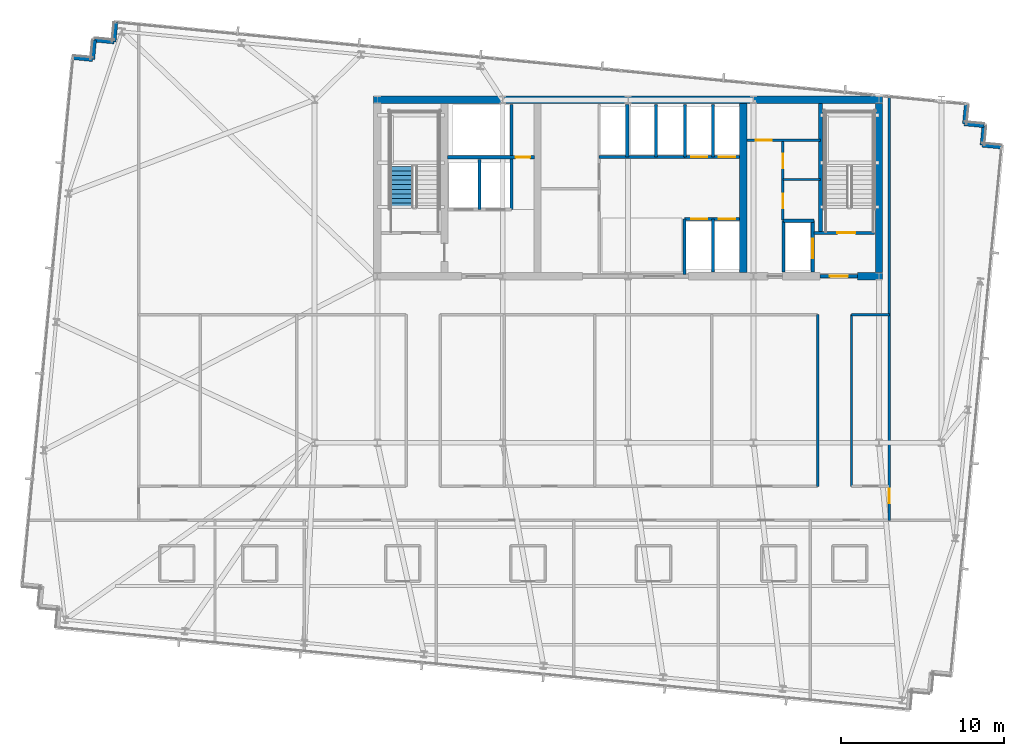
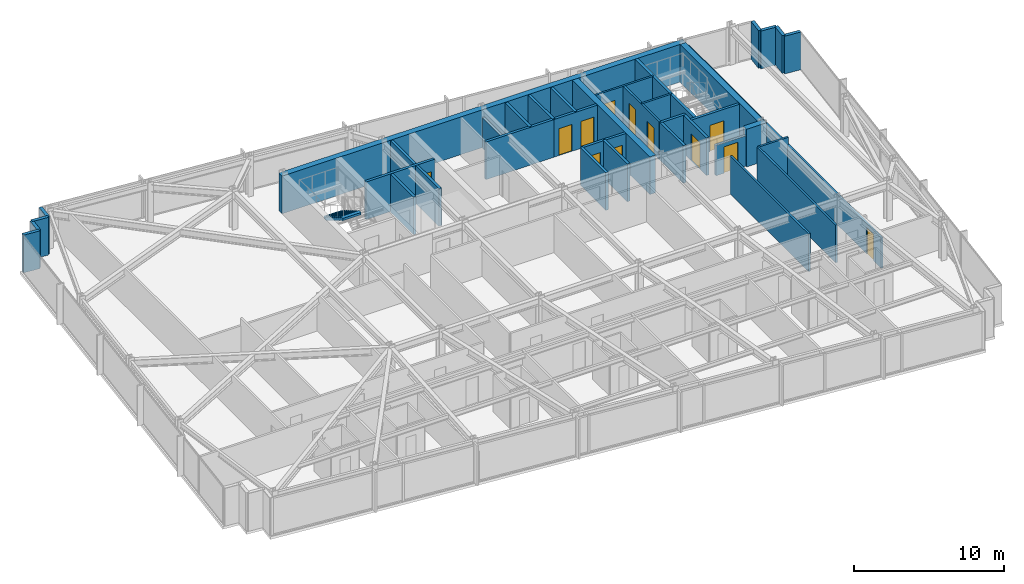
# One storey, part 31 of 38: 37 walls, 12 doors, 1 stair flight, 12 openings, 1 element without a shape of its own.
"""IFC4 building model written with IfcOpenShell, lengths in metres."""

from ifc_helpers import new_model, si_unit, direction, frame, frame_2d, origin, place, context, subcontext, project, spatial, polyline, rectangle, outline, extrude, material, layer, layer_set, type_object, element, fill, aggregate, save


model = new_model("IFC4")

# Units and contexts
model_context = context("Model", 3, precision=1e-05, world=origin(), true_north=direction((0.0, 1.0)))
body_context = subcontext(model_context, "Body", "Model", "MODEL_VIEW")
ifc_project = project(units=[si_unit("LENGTHUNIT", "METRE"), si_unit("AREAUNIT", "SQUARE_METRE"), si_unit("VOLUMEUNIT", "CUBIC_METRE"), si_unit("PLANEANGLEUNIT", "RADIAN"), si_unit("MASSUNIT", "GRAM", prefix="KILO")], contexts=[model_context])

# Site, building, storey
site_placement = place(None, origin())
site = spatial("IfcSite", under=ifc_project, at=site_placement, CompositionType="ELEMENT")
building_placement = place(site_placement, origin())
building = spatial("IfcBuilding", under=site, at=building_placement, Name="Yelkora Congress Tower", CompositionType="ELEMENT")
storey_placement = place(building_placement, frame((0.0, 0.0, 185.300048828125)))
storey = spatial("IfcBuildingStorey", under=building, at=storey_placement, Name="L51", CompositionType="ELEMENT", Elevation=185.300048828125)

# Walls
ifc_material_1 = material(Name="Concrete C50/60", Category="concrete")
ifc_layer_1 = layer(ifc_material_1, 0.219970703125)
ifc_layer_set_1 = layer_set([ifc_layer_1], Name="Concrete C50/60")
wall_type_1 = type_object("IfcWallType", Name="WALL-CORE-INT-220", PredefinedType="SHEAR", material=ifc_layer_set_1)
wall_1_placement = place(storey_placement, frame((50.179931640625, 38.050048828125, 0.0), z_axis=(0.0, 0.0, 1.0), x_axis=(0.0, 1.0, 0.0)))
element("IfcWall", 1, at=wall_1_placement, inside=storey, type_object=wall_type_1, Name="L51 ST02 West Stair Shear Wall", PredefinedType="SHEAR", context=body_context, shape_type="SweptSolid", body=[
    extrude(rectangle(XDim=7.925048828125, YDim=0.219970703125, at=frame_2d((3.96240234375, 0.0))), origin(), (0.0, 0.0, 1.0), 3.079833984375),
])
ifc_material_2 = material(Name="Concrete C60/75", Category="concrete")
ifc_layer_2 = layer(ifc_material_2, 0.449951171875)
ifc_layer_set_2 = layer_set([ifc_layer_2], Name="Concrete C60/75")
wall_type_2 = type_object("IfcWallType", Name="WALL-CORE-INT-450", PredefinedType="SHEAR", material=ifc_layer_set_2)
wall_2_placement = place(storey_placement, frame((22.81494140625, 46.199951171875, 0.0), z_axis=(0.0, 0.0, 1.0), x_axis=(1.0, 0.0, 0.0)))
element("IfcWall", 2, at=wall_2_placement, inside=storey, type_object=wall_type_2, Name="L51 Rear Core North Shear Wall", PredefinedType="SHEAR", context=body_context, shape_type="SweptSolid", body=[
    extrude(rectangle(XDim=31.170166015625, YDim=0.449951171875, at=frame_2d((15.5849609375, 0.0))), origin(), (0.0, 0.0, 1.0), 3.079833984375),
])
wall_3_placement = place(storey_placement, frame((52.449951171875, 35.39990234375, 0.0), z_axis=(0.0, 0.0, 1.0), x_axis=(1.0, 0.0, 0.0)))
element("IfcWall", 3, at=wall_3_placement, inside=storey, type_object=wall_type_2, Name="L51 Rear Core South-East Shear Wall B", PredefinedType="SHEAR", context=body_context, shape_type="SweptSolid", body=[
    extrude(rectangle(XDim=1.53515625, YDim=0.449951171875, at=frame_2d((0.767578125, 0.0))), origin(), (0.0, 0.0, 1.0), 3.079833984375),
])
for number, where, z_axis, x_axis, name in (
    (4, (45.449951171875, 35.625, 0.0), (0.0, 0.0, 1.0), (0.0, 1.0, 0.0), "L51 Rear Core Cross Shear Wall C3"),
    (5, (53.760009765625, 35.625, 0.0), (0.0, 0.0, 1.0), (0.0, 1.0, 0.0), "L51 Rear Core Cross Shear Wall E"),
):
    element("IfcWall", number, at=place(storey_placement, frame(where, z_axis=z_axis, x_axis=x_axis)), inside=storey, type_object=wall_type_2, Name=name, PredefinedType="SHEAR", context=body_context, shape_type="SweptSolid", body=[
        extrude(rectangle(XDim=10.35009765625, YDim=0.449951171875, at=frame_2d((5.175048828125, 0.0))), origin(), (0.0, 0.0, 1.0), 3.079833984375),
    ])
ifc_material_3 = material(Name="Concrete C40/50", Category="concrete")
ifc_layer_3 = layer(ifc_material_3, 0.239990234375)
ifc_layer_set_3 = layer_set([ifc_layer_3], Name="Concrete C40/50")
wall_type_3 = type_object("IfcWallType", Name="WALL-EXT-LIMESTONE-240", PredefinedType="SOLIDWALL", material=ifc_layer_set_3)
wall_4_placement = place(storey_placement, frame((4.41064453125, 48.778564453125, 0.0), z_axis=(0.0, 0.0, 1.0), x_axis=(0.995397091755, -0.095836473879, 0.0)))
element("IfcWall", 6, at=wall_4_placement, inside=storey, type_object=wall_type_3, Name="L51 Serrated Corner Limestone Pier 6", PredefinedType="SOLIDWALL", context=body_context, shape_type="SweptSolid", body=[
    extrude(rectangle(XDim=1.199951171875, YDim=0.239990234375, at=frame_2d((0.60009765625, 0.0))), origin(), (0.0, 0.0, 1.0), 3.079833984375),
])
wall_5_placement = place(storey_placement, frame((5.60498046875, 48.66357421875, 0.0), z_axis=(0.0, 0.0, 1.0), x_axis=(0.096018626938, 0.995379537303, 0.0)))
element("IfcWall", 7, at=wall_5_placement, inside=storey, type_object=wall_type_3, Name="L51 Serrated Corner Limestone Pier 7", PredefinedType="SOLIDWALL", context=body_context, shape_type="SweptSolid", body=[
    extrude(rectangle(XDim=1.2001953125, YDim=0.239990234375, at=frame_2d((0.60009765625, 0.0))), origin(), (0.0, 0.0, 1.0), 3.079833984375),
])
for number, where, z_axis, x_axis, name in (
    (8, (5.72021484375, 49.858154296875, 0.0), (0.0, 0.0, 1.0), (0.995397091755, -0.095836473879, 0.0), "L51 Serrated Corner Limestone Pier 8"),
    (9, (6.91455078125, 49.7431640625, 0.0), (0.0, 0.0, 1.0), (0.095836473879, 0.995397091755, 0.0), "L51 Serrated Corner Limestone Pier 9"),
):
    element("IfcWall", number, at=place(storey_placement, frame(where, z_axis=z_axis, x_axis=x_axis)), inside=storey, type_object=wall_type_3, Name=name, PredefinedType="SOLIDWALL", context=body_context, shape_type="SweptSolid", body=[
        extrude(rectangle(XDim=1.199951171875, YDim=0.239990234375, at=frame_2d((0.60009765625, 0.0))), origin(), (0.0, 0.0, 1.0), 3.079833984375),
    ])
for number, where, z_axis, x_axis, name in (
    (10, (59.108642578125, 45.923095703125, 0.0), (0.0, 0.0, 1.0), (-0.095817067274, -0.995398960025, 0.0), "L51 Serrated Corner Limestone Pier 11"),
    (11, (58.99365234375, 44.728515625, 0.0), (0.0, 0.0, 1.0), (0.995398960025, -0.095817067274, 0.0), "L51 Serrated Corner Limestone Pier 12"),
    (12, (60.188232421875, 44.613525390625, 0.0), (0.0, 0.0, 1.0), (-0.096018626938, -0.995379537303, 0.0), "L51 Serrated Corner Limestone Pier 13"),
    (13, (60.072998046875, 43.4189453125, 0.0), (0.0, 0.0, 1.0), (0.995398960025, -0.095817067274, 0.0), "L51 Serrated Corner Limestone Pier 14"),
):
    element("IfcWall", number, at=place(storey_placement, frame(where, z_axis=z_axis, x_axis=x_axis)), inside=storey, type_object=wall_type_3, Name=name, PredefinedType="SOLIDWALL", context=body_context, shape_type="SweptSolid", body=[
        extrude(rectangle(XDim=1.2001953125, YDim=0.239990234375, at=frame_2d((0.60009765625, 0.0))), origin(), (0.0, 0.0, 1.0), 3.079833984375),
    ])

# Wall, opening, door
ifc_material_4 = material(Name="Acoustic metal-stud gypsum partition", Category="gypsum")
ifc_layer_4 = layer(ifc_material_4, 0.14990234375)
ifc_layer_set_4 = layer_set([ifc_layer_4], Name="Acoustic metal-stud gypsum partition")
wall_type_4 = type_object("IfcWallType", Name="WALL-INT-150-NR", PredefinedType="PARTITIONING", material=ifc_layer_set_4)
wall_6_placement = place(storey_placement, frame((45.679931640625, 43.719970703125, 0.0), z_axis=(0.0, 0.0, 1.0), x_axis=(1.0, 0.0, 0.0)))
wall_6 = element("IfcWall", 14, at=wall_6_placement, inside=storey, type_object=wall_type_4, Name="L51 Partition Wall 24", PredefinedType="PARTITIONING", context=body_context, shape_type="SweptSolid", body=[
    extrude(rectangle(XDim=4.5, YDim=0.14990234375, at=frame_2d((2.25, 0.0))), origin(), (0.0, 0.0, 1.0), 3.079833984375),
])
opening_1_placement = place(wall_6_placement, frame((0.550048828125, 0.0, 0.0)))
opening_1 = element("IfcOpeningElement", 15, at=opening_1_placement, cuts=wall_6, Name="Opening DR-095N", PredefinedType="OPENING", context=body_context, shape_type="SweptSolid", body=[
    extrude(rectangle(XDim=0.949951171875, YDim=2.14990234375, at=frame_2d((0.47509765625, 1.074951171875))), frame((0.0, 0.0849609375, 0.0), z_axis=(0.0, -1.0, 0.0), x_axis=(1.0, 0.0, 0.0)), (0.0, 0.0, 1.0), 0.169921875),
])
ifc_material_5 = material(Name="Acoustic laminated timber office door", Category="wood")
door_type_1 = type_object("IfcDoorType", Name="DOOR-INT-950", OperationType="NOTDEFINED", PredefinedType="DOOR", material=ifc_material_5)
door_1_placement = place(opening_1_placement, origin())
door_1 = element("IfcDoor", 16, at=door_1_placement, inside=storey, type_object=door_type_1, Name="L51 Accessible WC Door", OperationType="SINGLE_SWING_RIGHT", OverallHeight=2.14990234375, OverallWidth=0.949951171875, PredefinedType="DOOR", context=body_context, shape_type="SweptSolid", body=[
    extrude(rectangle(XDim=0.949951171875, YDim=2.14990234375, at=frame_2d((0.47509765625, 1.074951171875))), frame((0.0, 0.02490234375, 0.0), z_axis=(0.0, -1.0, 0.0), x_axis=(1.0, 0.0, 0.0)), (0.0, 0.0, 1.0), 0.050048828125),
])
fill(opening_1, door_1)

# Wall
wall_7_placement = place(storey_placement, frame((47.8798828125, 41.320068359375, 0.0), z_axis=(0.0, 0.0, 1.0), x_axis=(1.0, 0.0, 0.0)))
element("IfcWall", 17, at=wall_7_placement, inside=storey, type_object=wall_type_4, Name="L51 Partition Wall 25", PredefinedType="PARTITIONING", context=body_context, shape_type="SweptSolid", body=[
    extrude(rectangle(XDim=2.300048828125, YDim=0.14990234375, at=frame_2d((1.14990234375, 0.0))), origin(), (0.0, 0.0, 1.0), 3.079833984375),
])

# Wall, openings, doors
wall_8_placement = place(storey_placement, frame((47.8798828125, 38.85009765625, 0.0), z_axis=(0.0, 0.0, 1.0), x_axis=(0.0, 1.0, 0.0)))
wall_8 = element("IfcWall", 18, at=wall_8_placement, inside=storey, type_object=wall_type_4, Name="L51 Partition Wall 26", PredefinedType="PARTITIONING", context=body_context, shape_type="SweptSolid", body=[
    extrude(rectangle(XDim=4.869873046875, YDim=0.14990234375, at=frame_2d((2.43505859375, 0.0))), origin(), (0.0, 0.0, 1.0), 3.079833984375),
])
opening_2_placement = place(wall_8_placement, frame((0.699951171875, 0.0, 0.0)))
opening_2 = element("IfcOpeningElement", 19, at=opening_2_placement, cuts=wall_8, Name="Opening DR-090N", PredefinedType="OPENING", context=body_context, shape_type="SweptSolid", body=[
    extrude(rectangle(XDim=0.89990234375, YDim=2.14990234375, at=frame_2d((0.449951171875, 1.074951171875))), frame((0.0, 0.0849609375, 0.0), z_axis=(0.0, -1.0, 0.0), x_axis=(1.0, 0.0, 0.0)), (0.0, 0.0, 1.0), 0.169921875),
])
opening_3_placement = place(wall_8_placement, frame((3.14990234375, 0.0, 0.0)))
opening_3 = element("IfcOpeningElement", 20, at=opening_3_placement, cuts=wall_8, Name="Opening DR-090N", PredefinedType="OPENING", context=body_context, shape_type="SweptSolid", body=[
    extrude(rectangle(XDim=0.89990234375, YDim=2.14990234375, at=frame_2d((0.449951171875, 1.074951171875))), frame((0.0, 0.0849609375, 0.0), z_axis=(0.0, -1.0, 0.0), x_axis=(1.0, 0.0, 0.0)), (0.0, 0.0, 1.0), 0.169921875),
])
ifc_material_6 = material(Name="Moisture-resistant laminate door leaf", Category="wood")
door_type_2 = type_object("IfcDoorType", Name="DOOR-INT-900", OperationType="NOTDEFINED", PredefinedType="DOOR", material=ifc_material_6)
door_2_placement = place(opening_2_placement, origin())
door_2 = element("IfcDoor", 21, at=door_2_placement, inside=storey, type_object=door_type_2, Name="L51 Male WC Door", OperationType="SINGLE_SWING_LEFT", OverallHeight=2.14990234375, OverallWidth=0.89990234375, PredefinedType="DOOR", context=body_context, shape_type="SweptSolid", body=[
    extrude(rectangle(XDim=0.89990234375, YDim=2.14990234375, at=frame_2d((0.449951171875, 1.074951171875))), frame((0.0, 0.02490234375, 0.0), z_axis=(0.0, -1.0, 0.0), x_axis=(1.0, 0.0, 0.0)), (0.0, 0.0, 1.0), 0.050048828125),
])
fill(opening_2, door_2)
door_3_placement = place(opening_3_placement, origin())
door_3 = element("IfcDoor", 22, at=door_3_placement, inside=storey, type_object=door_type_2, Name="L51 Female WC Door", OperationType="SINGLE_SWING_RIGHT", OverallHeight=2.14990234375, OverallWidth=0.89990234375, PredefinedType="DOOR", context=body_context, shape_type="SweptSolid", body=[
    extrude(rectangle(XDim=0.89990234375, YDim=2.14990234375, at=frame_2d((0.449951171875, 1.074951171875))), frame((0.0, 0.02490234375, 0.0), z_axis=(0.0, -1.0, 0.0), x_axis=(1.0, 0.0, 0.0)), (0.0, 0.0, 1.0), 0.050048828125),
])
fill(opening_3, door_3)

# Wall, opening, door
wall_9_placement = place(storey_placement, frame((54.39990234375, 20.449951171875, 0.0), z_axis=(0.0, 0.0, 1.0), x_axis=(0.0, 1.0, 0.0)))
wall_9 = element("IfcWall", 23, at=wall_9_placement, inside=storey, type_object=wall_type_4, Name="L51 Partition Wall 63", PredefinedType="PARTITIONING", context=body_context, shape_type="SweptSolid", body=[
    extrude(rectangle(XDim=25.986572265625, YDim=0.14990234375, at=frame_2d((12.9931640625, 0.0))), origin(), (0.0, 0.0, 1.0), 2.474853515625),
])
opening_4_placement = place(wall_9_placement, frame((1.030029296875, 0.0, 0.0)))
opening_4 = element("IfcOpeningElement", 24, at=opening_4_placement, cuts=wall_9, Name="Opening DR-090N", PredefinedType="OPENING", context=body_context, shape_type="SweptSolid", body=[
    extrude(rectangle(XDim=0.89990234375, YDim=2.14990234375, at=frame_2d((0.449951171875, 1.074951171875))), frame((0.0, 0.0849609375, 0.0), z_axis=(0.0, -1.0, 0.0), x_axis=(1.0, 0.0, 0.0)), (0.0, 0.0, 1.0), 0.169921875),
])
door_4_placement = place(opening_4_placement, origin())
door_4 = element("IfcDoor", 25, at=door_4_placement, inside=storey, type_object=door_type_2, Name="L51 E Wing Door", OperationType="SINGLE_SWING_RIGHT", OverallHeight=2.14990234375, OverallWidth=0.89990234375, PredefinedType="DOOR", context=body_context, shape_type="SweptSolid", body=[
    extrude(rectangle(XDim=0.89990234375, YDim=2.14990234375, at=frame_2d((0.449951171875, 1.074951171875))), frame((0.0, 0.02490234375, 0.0), z_axis=(0.0, -1.0, 0.0), x_axis=(1.0, 0.0, 0.0)), (0.0, 0.0, 1.0), 0.050048828125),
])
fill(opening_4, door_4)

# Walls
for number, where, z_axis, x_axis, name in (
    (26, (50.0, 22.530029296875, 0.0), (0.0, 0.0, 1.0), (0.0, 1.0, 0.0), "L51 Partition Wall 66"),
    (27, (52.080078125, 22.530029296875, 0.0), (0.0, 0.0, 1.0), (0.0, 1.0, 0.0), "L51 Partition Wall 67"),
):
    element("IfcWall", number, at=place(storey_placement, frame(where, z_axis=z_axis, x_axis=x_axis)), inside=storey, type_object=wall_type_4, Name=name, PredefinedType="PARTITIONING", context=body_context, shape_type="SweptSolid", body=[
        extrude(rectangle(XDim=10.52001953125, YDim=0.14990234375, at=frame_2d((5.260009765625, 0.0))), origin(), (0.0, 0.0, 1.0), 3.079833984375),
    ])
wall_10_placement = place(storey_placement, frame((52.080078125, 33.050048828125, 0.0), z_axis=(0.0, 0.0, 1.0), x_axis=(1.0, 0.0, 0.0)))
element("IfcWall", 28, at=wall_10_placement, inside=storey, type_object=wall_type_4, Name="L51 Partition Wall 70", PredefinedType="PARTITIONING", context=body_context, shape_type="SweptSolid", body=[
    extrude(rectangle(XDim=2.31982421875, YDim=0.14990234375, at=frame_2d((1.159912109375, 0.0))), origin(), (0.0, 0.0, 1.0), 3.079833984375),
])
ifc_material_7 = material(Name="Autoclaved aerated concrete blockwork", Category="masonry")
ifc_layer_5 = layer(ifc_material_7, 0.199951171875)
ifc_layer_set_5 = layer_set([ifc_layer_5], Name="Autoclaved aerated concrete blockwork")
wall_type_5 = type_object("IfcWallType", Name="WALL-INT-200-R120", PredefinedType="PARTITIONING", material=ifc_layer_set_5)
wall_11_placement = place(storey_placement, frame((29.300048828125, 39.47998046875, 0.0), z_axis=(0.0, 0.0, 1.0), x_axis=(0.0, 1.0, 0.0)))
element("IfcWall", 29, at=wall_11_placement, inside=storey, type_object=wall_type_5, Name="L51 Partition Wall 4", PredefinedType="PARTITIONING", context=body_context, shape_type="SweptSolid", body=[
    extrude(rectangle(XDim=3.070068359375, YDim=0.199951171875, at=frame_2d((1.53515625, 0.0))), origin(), (0.0, 0.0, 1.0), 3.079833984375),
])
wall_12_placement = place(storey_placement, frame((31.260009765625, 39.47998046875, 0.0), z_axis=(0.0, 0.0, 1.0), x_axis=(0.0, 1.0, 0.0)))
element("IfcWall", 30, at=wall_12_placement, inside=storey, type_object=wall_type_5, Name="L51 Partition Wall 5", PredefinedType="PARTITIONING", context=body_context, shape_type="SweptSolid", body=[
    extrude(rectangle(XDim=6.43994140625, YDim=0.199951171875, at=frame_2d((3.219970703125, 0.0))), origin(), (0.0, 0.0, 1.0), 3.079833984375),
])

# Wall, opening, door
wall_13_placement = place(storey_placement, frame((27.320068359375, 42.679931640625, 0.0), z_axis=(0.0, 0.0, 1.0), x_axis=(1.0, 0.0, 0.0)))
wall_13 = element("IfcWall", 31, at=wall_13_placement, inside=storey, type_object=wall_type_5, Name="L51 Smoke Riser South Wall", PredefinedType="PARTITIONING", context=body_context, shape_type="SweptSolid", body=[
    extrude(rectangle(XDim=5.329833984375, YDim=0.199951171875, at=frame_2d((2.6650390625, 0.0))), origin(), (0.0, 0.0, 1.0), 3.079833984375),
])
opening_5_placement = place(wall_13_placement, frame((4.179931640625, 0.0, 0.0)))
opening_5 = element("IfcOpeningElement", 32, at=opening_5_placement, cuts=wall_13, Name="Opening DR-090F6", PredefinedType="OPENING", context=body_context, shape_type="SweptSolid", body=[
    extrude(rectangle(XDim=0.89990234375, YDim=2.14990234375, at=frame_2d((0.449951171875, 1.074951171875))), frame((0.0, 0.10986328125, 0.0), z_axis=(0.0, -1.0, 0.0), x_axis=(1.0, 0.0, 0.0)), (0.0, 0.0, 1.0), 0.219970703125),
])
ifc_material_8 = material(Name="Painted steel riser fire door leaf", Category="steel")
door_type_3 = type_object("IfcDoorType", Name="DOOR-FD60-900", OperationType="NOTDEFINED", PredefinedType="DOOR", material=ifc_material_8)
door_5_placement = place(opening_5_placement, origin())
door_5 = element("IfcDoor", 33, at=door_5_placement, inside=storey, type_object=door_type_3, Name="L51 Riser Access Door", OperationType="SINGLE_SWING_LEFT", OverallHeight=2.14990234375, OverallWidth=0.89990234375, PredefinedType="DOOR", context=body_context, shape_type="SweptSolid", body=[
    extrude(rectangle(XDim=0.89990234375, YDim=2.14990234375, at=frame_2d((0.449951171875, 1.074951171875))), frame((0.0, 0.02490234375, 0.0), z_axis=(0.0, -1.0, 0.0), x_axis=(1.0, 0.0, 0.0)), (0.0, 0.0, 1.0), 0.050048828125),
])
fill(opening_5, door_5)

# Walls
wall_14_placement = place(storey_placement, frame((36.60009765625, 42.699951171875, 0.0), z_axis=(0.0, 0.0, 1.0), x_axis=(1.0, 0.0, 0.0)))
element("IfcWall", 34, at=wall_14_placement, inside=storey, type_object=wall_type_5, Name="L51 Partition Wall 8", PredefinedType="PARTITIONING", context=body_context, shape_type="SweptSolid", body=[
    extrude(rectangle(XDim=5.25, YDim=0.199951171875, at=frame_2d((2.625, 0.0))), origin(), (0.0, 0.0, 1.0), 3.079833984375),
])
wall_15_placement = place(storey_placement, frame((38.35009765625, 42.699951171875, 0.0), z_axis=(0.0, 0.0, 1.0), x_axis=(0.0, 1.0, 0.0)))
element("IfcWall", 35, at=wall_15_placement, inside=storey, type_object=wall_type_5, Name="L51 Partition Wall 9", PredefinedType="PARTITIONING", context=body_context, shape_type="SweptSolid", body=[
    extrude(rectangle(XDim=3.219970703125, YDim=0.199951171875, at=frame_2d((1.60986328125, 0.0))), origin(), (0.0, 0.0, 1.0), 2.474853515625),
])
wall_16_placement = place(storey_placement, frame((40.10009765625, 42.699951171875, 0.0), z_axis=(0.0, 0.0, 1.0), x_axis=(0.0, 1.0, 0.0)))
element("IfcWall", 36, at=wall_16_placement, inside=storey, type_object=wall_type_5, Name="L51 Partition Wall 10", PredefinedType="PARTITIONING", context=body_context, shape_type="SweptSolid", body=[
    extrude(rectangle(XDim=3.219970703125, YDim=0.199951171875, at=frame_2d((1.60986328125, 0.0))), origin(), (0.0, 0.0, 1.0), 3.079833984375),
])

# Wall, openings, doors
wall_17_placement = place(storey_placement, frame((41.85009765625, 38.89990234375, 0.0), z_axis=(0.0, 0.0, 1.0), x_axis=(1.0, 0.0, 0.0)))
wall_17 = element("IfcWall", 37, at=wall_17_placement, inside=storey, type_object=wall_type_5, Name="L51 Partition Wall 13", PredefinedType="PARTITIONING", context=body_context, shape_type="SweptSolid", body=[
    extrude(rectangle(XDim=3.369873046875, YDim=0.199951171875, at=frame_2d((1.68505859375, 0.0))), origin(), (0.0, 0.0, 1.0), 3.079833984375),
])
opening_6_placement = place(wall_17_placement, frame((0.39990234375, 0.0, 0.0)))
opening_6 = element("IfcOpeningElement", 38, at=opening_6_placement, cuts=wall_17, Name="Opening LD-PS10", PredefinedType="OPENING", context=body_context, shape_type="SweptSolid", body=[
    extrude(rectangle(XDim=1.0, YDim=2.199951171875, at=frame_2d((0.5, 1.10009765625))), frame((0.0, 0.10986328125, 0.0), z_axis=(0.0, -1.0, 0.0), x_axis=(1.0, 0.0, 0.0)), (0.0, 0.0, 1.0), 0.219970703125),
])
opening_7_placement = place(wall_17_placement, frame((2.10009765625, 0.0, 0.0)))
opening_7 = element("IfcOpeningElement", 39, at=opening_7_placement, cuts=wall_17, Name="Opening LD-PS10", PredefinedType="OPENING", context=body_context, shape_type="SweptSolid", body=[
    extrude(rectangle(XDim=1.0, YDim=2.199951171875, at=frame_2d((0.5, 1.10009765625))), frame((0.0, 0.10986328125, 0.0), z_axis=(0.0, -1.0, 0.0), x_axis=(1.0, 0.0, 0.0)), (0.0, 0.0, 1.0), 0.219970703125),
])
ifc_material_9 = material(Name="Champagne stainless steel landing door", Category="steel")
door_type_4 = type_object("IfcDoorType", Name="DOOR-LIFT-PAS-1000", OperationType="DOUBLE_DOOR_SLIDING", PredefinedType="DOOR", material=ifc_material_9)
door_6_placement = place(opening_6_placement, origin())
door_6 = element("IfcDoor", 40, at=door_6_placement, inside=storey, type_object=door_type_4, Name="Lift Landing Door LF-P5 L51", OperationType="DOUBLE_DOOR_SLIDING", OverallHeight=2.199951171875, OverallWidth=1.0, PredefinedType="DOOR", context=body_context, shape_type="SweptSolid", body=[
    extrude(rectangle(XDim=1.0, YDim=2.199951171875, at=frame_2d((0.5, 1.10009765625))), frame((0.0, 0.02490234375, 0.0), z_axis=(0.0, -1.0, 0.0), x_axis=(1.0, 0.0, 0.0)), (0.0, 0.0, 1.0), 0.050048828125),
])
fill(opening_6, door_6)
door_7_placement = place(opening_7_placement, origin())
door_7 = element("IfcDoor", 41, at=door_7_placement, inside=storey, type_object=door_type_4, Name="Lift Landing Door LF-P6 L51", OperationType="DOUBLE_DOOR_SLIDING", OverallHeight=2.199951171875, OverallWidth=1.0, PredefinedType="DOOR", context=body_context, shape_type="SweptSolid", body=[
    extrude(rectangle(XDim=1.0, YDim=2.199951171875, at=frame_2d((0.5, 1.10009765625))), frame((0.0, 0.02490234375, 0.0), z_axis=(0.0, -1.0, 0.0), x_axis=(1.0, 0.0, 0.0)), (0.0, 0.0, 1.0), 0.050048828125),
])
fill(opening_7, door_7)

wall_18_placement = place(storey_placement, frame((41.85009765625, 42.699951171875, 0.0), z_axis=(0.0, 0.0, 1.0), x_axis=(1.0, 0.0, 0.0)))
wall_18 = element("IfcWall", 42, at=wall_18_placement, inside=storey, type_object=wall_type_5, Name="L51 Partition Wall 14", PredefinedType="PARTITIONING", context=body_context, shape_type="SweptSolid", body=[
    extrude(rectangle(XDim=3.369873046875, YDim=0.199951171875, at=frame_2d((1.68505859375, 0.0))), origin(), (0.0, 0.0, 1.0), 3.079833984375),
])
opening_8_placement = place(wall_18_placement, frame((0.39990234375, 0.0, 0.0)))
opening_8 = element("IfcOpeningElement", 43, at=opening_8_placement, cuts=wall_18, Name="Opening LD-PS10", PredefinedType="OPENING", context=body_context, shape_type="SweptSolid", body=[
    extrude(rectangle(XDim=1.0, YDim=2.199951171875, at=frame_2d((0.5, 1.10009765625))), frame((0.0, 0.10986328125, 0.0), z_axis=(0.0, -1.0, 0.0), x_axis=(1.0, 0.0, 0.0)), (0.0, 0.0, 1.0), 0.219970703125),
])
opening_9_placement = place(wall_18_placement, frame((2.10009765625, 0.0, 0.0)))
opening_9 = element("IfcOpeningElement", 44, at=opening_9_placement, cuts=wall_18, Name="Opening LD-PS10", PredefinedType="OPENING", context=body_context, shape_type="SweptSolid", body=[
    extrude(rectangle(XDim=1.0, YDim=2.199951171875, at=frame_2d((0.5, 1.10009765625))), frame((0.0, 0.10986328125, 0.0), z_axis=(0.0, -1.0, 0.0), x_axis=(1.0, 0.0, 0.0)), (0.0, 0.0, 1.0), 0.219970703125),
])
door_8_placement = place(opening_8_placement, origin())
door_8 = element("IfcDoor", 45, at=door_8_placement, inside=storey, type_object=door_type_4, Name="Lift Landing Door LF-P7 L51", OperationType="DOUBLE_DOOR_SLIDING", OverallHeight=2.199951171875, OverallWidth=1.0, PredefinedType="DOOR", context=body_context, shape_type="SweptSolid", body=[
    extrude(rectangle(XDim=1.0, YDim=2.199951171875, at=frame_2d((0.5, 1.10009765625))), frame((0.0, 0.02490234375, 0.0), z_axis=(0.0, -1.0, 0.0), x_axis=(1.0, 0.0, 0.0)), (0.0, 0.0, 1.0), 0.050048828125),
])
fill(opening_8, door_8)
door_9_placement = place(opening_9_placement, origin())
door_9 = element("IfcDoor", 46, at=door_9_placement, inside=storey, type_object=door_type_4, Name="Lift Landing Door LF-P8 L51", OperationType="DOUBLE_DOOR_SLIDING", OverallHeight=2.199951171875, OverallWidth=1.0, PredefinedType="DOOR", context=body_context, shape_type="SweptSolid", body=[
    extrude(rectangle(XDim=1.0, YDim=2.199951171875, at=frame_2d((0.5, 1.10009765625))), frame((0.0, 0.02490234375, 0.0), z_axis=(0.0, -1.0, 0.0), x_axis=(1.0, 0.0, 0.0)), (0.0, 0.0, 1.0), 0.050048828125),
])
fill(opening_9, door_9)

# Walls
wall_19_placement = place(storey_placement, frame((43.60009765625, 35.64990234375, 0.0), z_axis=(0.0, 0.0, 1.0), x_axis=(0.0, 1.0, 0.0)))
element("IfcWall", 47, at=wall_19_placement, inside=storey, type_object=wall_type_5, Name="L51 Partition Wall 15", PredefinedType="PARTITIONING", context=body_context, shape_type="SweptSolid", body=[
    extrude(rectangle(XDim=3.25, YDim=0.199951171875, at=frame_2d((1.625, 0.0))), origin(), (0.0, 0.0, 1.0), 3.079833984375),
])
wall_20_placement = place(storey_placement, frame((43.60009765625, 42.699951171875, 0.0), z_axis=(0.0, 0.0, 1.0), x_axis=(0.0, 1.0, 0.0)))
element("IfcWall", 48, at=wall_20_placement, inside=storey, type_object=wall_type_5, Name="L51 Partition Wall 16", PredefinedType="PARTITIONING", context=body_context, shape_type="SweptSolid", body=[
    extrude(rectangle(XDim=3.219970703125, YDim=0.199951171875, at=frame_2d((1.60986328125, 0.0))), origin(), (0.0, 0.0, 1.0), 3.079833984375),
])
wall_21_placement = place(storey_placement, frame((41.85009765625, 35.5, 0.0), z_axis=(0.0, 0.0, 1.0), x_axis=(0.0, 1.0, 0.0)))
element("IfcWall", 49, at=wall_21_placement, inside=storey, type_object=wall_type_5, Name="L51 Partition Wall 17", PredefinedType="PARTITIONING", context=body_context, shape_type="SweptSolid", body=[
    extrude(rectangle(XDim=3.39990234375, YDim=0.199951171875, at=frame_2d((1.699951171875, 0.0))), origin(), (0.0, 0.0, 1.0), 3.079833984375),
])
wall_22_placement = place(storey_placement, frame((41.8798828125, 42.699951171875, 0.0), z_axis=(0.0, 0.0, 1.0), x_axis=(0.0, 1.0, 0.0)))
element("IfcWall", 50, at=wall_22_placement, inside=storey, type_object=wall_type_5, Name="L51 Partition Wall 18", PredefinedType="PARTITIONING", context=body_context, shape_type="SweptSolid", body=[
    extrude(rectangle(XDim=3.219970703125, YDim=0.199951171875, at=frame_2d((1.60986328125, 0.0))), origin(), (0.0, 0.0, 1.0), 3.079833984375),
])

# Wall, opening, door
wall_23_placement = place(storey_placement, frame((49.780029296875, 38.050048828125, 0.0), z_axis=(0.0, 0.0, 1.0), x_axis=(1.0, 0.0, 0.0)))
wall_23 = element("IfcWall", 51, at=wall_23_placement, inside=storey, type_object=wall_type_5, Name="L51 Stair ST-02 Enclosure Wall", PredefinedType="PARTITIONING", context=body_context, shape_type="SweptSolid", body=[
    extrude(rectangle(XDim=3.719970703125, YDim=0.199951171875, at=frame_2d((1.85986328125, 0.0))), origin(), (0.0, 0.0, 1.0), 3.079833984375),
])
opening_10_placement = place(wall_23_placement, frame((1.436279296875, 0.0, 0.0)))
opening_10 = element("IfcOpeningElement", 52, at=opening_10_placement, cuts=wall_23, Name="Opening DR-110F9", PredefinedType="OPENING", context=body_context, shape_type="SweptSolid", body=[
    extrude(rectangle(XDim=1.10009765625, YDim=2.14990234375, at=frame_2d((0.550048828125, 1.074951171875))), frame((0.0, 0.10986328125, 0.0), z_axis=(0.0, -1.0, 0.0), x_axis=(1.0, 0.0, 0.0)), (0.0, 0.0, 1.0), 0.219970703125),
])
ifc_material_10 = material(Name="Galvanised steel fire door leaf", Category="steel")
door_type_5 = type_object("IfcDoorType", Name="DOOR-FD90-1100", OperationType="NOTDEFINED", PredefinedType="DOOR", material=ifc_material_10)
door_10_placement = place(opening_10_placement, origin())
door_10 = element("IfcDoor", 53, at=door_10_placement, inside=storey, type_object=door_type_5, Name="L51 Stair ST-02 Entry Door", OperationType="SINGLE_SWING_LEFT", OverallHeight=2.14990234375, OverallWidth=1.10009765625, PredefinedType="DOOR", context=body_context, shape_type="SweptSolid", body=[
    extrude(rectangle(XDim=1.10009765625, YDim=2.14990234375, at=frame_2d((0.550048828125, 1.074951171875))), frame((0.0, 0.02490234375, 0.0), z_axis=(0.0, -1.0, 0.0), x_axis=(1.0, 0.0, 0.0)), (0.0, 0.0, 1.0), 0.050048828125),
])
fill(opening_10, door_10)

wall_24_placement = place(storey_placement, frame((50.14990234375, 35.39990234375, 0.0), z_axis=(0.0, 0.0, 1.0), x_axis=(1.0, 0.0, 0.0)))
wall_24 = element("IfcWall", 54, at=wall_24_placement, inside=storey, type_object=wall_type_5, Name="L51 Partition Wall 20", PredefinedType="PARTITIONING", context=body_context, shape_type="SweptSolid", body=[
    extrude(rectangle(XDim=2.300048828125, YDim=0.199951171875, at=frame_2d((1.14990234375, 0.0))), origin(), (0.0, 0.0, 1.0), 2.474853515625),
])
opening_11_placement = place(wall_24_placement, frame((0.60009765625, 0.0, 0.0)))
opening_11 = element("IfcOpeningElement", 55, at=opening_11_placement, cuts=wall_24, Name="Opening DR-110F9", PredefinedType="OPENING", context=body_context, shape_type="SweptSolid", body=[
    extrude(rectangle(XDim=1.10009765625, YDim=2.14990234375, at=frame_2d((0.550048828125, 1.074951171875))), frame((0.0, 0.10986328125, 0.0), z_axis=(0.0, -1.0, 0.0), x_axis=(1.0, 0.0, 0.0)), (0.0, 0.0, 1.0), 0.219970703125),
])
door_11_placement = place(opening_11_placement, origin())
door_11 = element("IfcDoor", 56, at=door_11_placement, inside=storey, type_object=door_type_5, Name="L51 East Stair Lobby Door", OperationType="SINGLE_SWING_RIGHT", OverallHeight=2.14990234375, OverallWidth=1.10009765625, PredefinedType="DOOR", context=body_context, shape_type="SweptSolid", body=[
    extrude(rectangle(XDim=1.10009765625, YDim=2.14990234375, at=frame_2d((0.550048828125, 1.074951171875))), frame((0.0, 0.02490234375, 0.0), z_axis=(0.0, -1.0, 0.0), x_axis=(1.0, 0.0, 0.0)), (0.0, 0.0, 1.0), 0.050048828125),
])
fill(opening_11, door_11)

wall_25_placement = place(storey_placement, frame((49.699951171875, 35.64990234375, 0.0), z_axis=(0.0, 0.0, 1.0), x_axis=(0.0, 1.0, 0.0)))
wall_25 = element("IfcWall", 57, at=wall_25_placement, inside=storey, type_object=wall_type_5, Name="L51 Partition Wall 21", PredefinedType="PARTITIONING", context=body_context, shape_type="SweptSolid", body=[
    extrude(rectangle(XDim=3.150146484375, YDim=0.199951171875, at=frame_2d((1.5751953125, 0.0))), origin(), (0.0, 0.0, 1.0), 3.079833984375),
])
opening_12_placement = place(wall_25_placement, frame((0.85009765625, 0.0, 0.0)))
opening_12 = element("IfcOpeningElement", 58, at=opening_12_placement, cuts=wall_25, Name="Opening LD-SV12", PredefinedType="OPENING", context=body_context, shape_type="SweptSolid", body=[
    extrude(rectangle(XDim=1.199951171875, YDim=2.199951171875, at=frame_2d((0.60009765625, 1.10009765625))), frame((0.0, 0.10986328125, 0.0), z_axis=(0.0, -1.0, 0.0), x_axis=(1.0, 0.0, 0.0)), (0.0, 0.0, 1.0), 0.219970703125),
])
ifc_material_11 = material(Name="Heavy-duty stainless steel landing door", Category="steel")
door_type_6 = type_object("IfcDoorType", Name="DOOR-LIFT-SRV-1200", OperationType="DOUBLE_DOOR_SLIDING", PredefinedType="DOOR", material=ifc_material_11)
door_12_placement = place(opening_12_placement, origin())
door_12 = element("IfcDoor", 59, at=door_12_placement, inside=storey, type_object=door_type_6, Name="Service Lift Landing Door LF-SV1 L51", OperationType="DOUBLE_DOOR_SLIDING", OverallHeight=2.199951171875, OverallWidth=1.199951171875, PredefinedType="DOOR", context=body_context, shape_type="SweptSolid", body=[
    extrude(rectangle(XDim=1.199951171875, YDim=2.199951171875, at=frame_2d((0.60009765625, 1.10009765625))), frame((0.0, 0.02490234375, 0.0), z_axis=(0.0, -1.0, 0.0), x_axis=(1.0, 0.0, 0.0)), (0.0, 0.0, 1.0), 0.050048828125),
])
fill(opening_12, door_12)

# Walls
wall_26_placement = place(storey_placement, frame((47.919921875, 35.64990234375, 0.0), z_axis=(0.0, 0.0, 1.0), x_axis=(0.0, 1.0, 0.0)))
element("IfcWall", 60, at=wall_26_placement, inside=storey, type_object=wall_type_5, Name="L51 Partition Wall 22", PredefinedType="PARTITIONING", context=body_context, shape_type="SweptSolid", body=[
    extrude(rectangle(XDim=3.150146484375, YDim=0.199951171875, at=frame_2d((1.5751953125, 0.0))), origin(), (0.0, 0.0, 1.0), 3.079833984375),
])
wall_27_placement = place(storey_placement, frame((47.919921875, 38.800048828125, 0.0), z_axis=(0.0, 0.0, 1.0), x_axis=(1.0, 0.0, 0.0)))
element("IfcWall", 61, at=wall_27_placement, inside=storey, type_object=wall_type_5, Name="L51 Partition Wall 23", PredefinedType="PARTITIONING", context=body_context, shape_type="SweptSolid", body=[
    extrude(rectangle(XDim=1.860107421875, YDim=0.199951171875, at=frame_2d((0.93017578125, 0.0))), origin(), (0.0, 0.0, 1.0), 3.079833984375),
])

# Stair, stair flight
stair_type = type_object("IfcStairType", Name="STAIR-HT-1420-R20-165", PredefinedType="HALF_TURN_STAIR", material=ifc_material_3)
stair_placement = place(storey_placement, origin())
stair = element("IfcStair", 62, at=stair_placement, inside=storey, type_object=stair_type, Name="West Core Protected Exit Stair ST-01 (L51)", PredefinedType="HALF_TURN_STAIR")
stair_flight_type = type_object("IfcStairFlightType", Name="FLIGHT-1420-N10-R165-G280", PredefinedType="STRAIGHT", material=ifc_material_3)
stair_flight_placement = place(storey_placement, frame((24.530029296875, 42.1201171875, 1.64990234375), z_axis=(0.0, 0.0, 1.0), x_axis=(0.0, -1.0, 0.0)))
stair_flight = element("IfcStairFlight", 63, at=stair_flight_placement, type_object=stair_flight_type, Name="ST-01 L51 Flight 2", NumberOfRisers=10, NumberOfTreads=9, PredefinedType="STRAIGHT", RiserHeight=0.165, TreadLength=0.28, context=body_context, shape_type="SweptSolid", body=[
    extrude(outline(polyline([(0.0, 0.0), (0.0, 0.1650390625), (0.280029296875, 0.1650390625), (0.280029296875, 0.330078125), (0.56005859375, 0.330078125), (0.56005859375, 0.4951171875), (0.840087890625, 0.4951171875), (0.840087890625, 0.659912109375), (1.1201171875, 0.659912109375), (1.1201171875, 0.824951171875), (1.39990234375, 0.824951171875), (1.39990234375, 0.989990234375), (1.679931640625, 0.989990234375), (1.679931640625, 1.155029296875), (1.9599609375, 1.155029296875), (1.9599609375, 1.320068359375), (2.239990234375, 1.320068359375), (2.239990234375, 1.485107421875), (2.52001953125, 1.485107421875), (2.52001953125, 1.64990234375), (2.52001953125, 1.29931640625), (0.31494140625, 0.0), (0.0, 0.0)])), frame((0.0, 0.7099609375, 0.0), z_axis=(0.0, -1.0, 0.0), x_axis=(1.0, 0.0, 0.0)), (0.0, 0.0, 1.0), 1.419921875),
])
aggregate(stair, [stair_flight])

save(model, "model.ifc")
